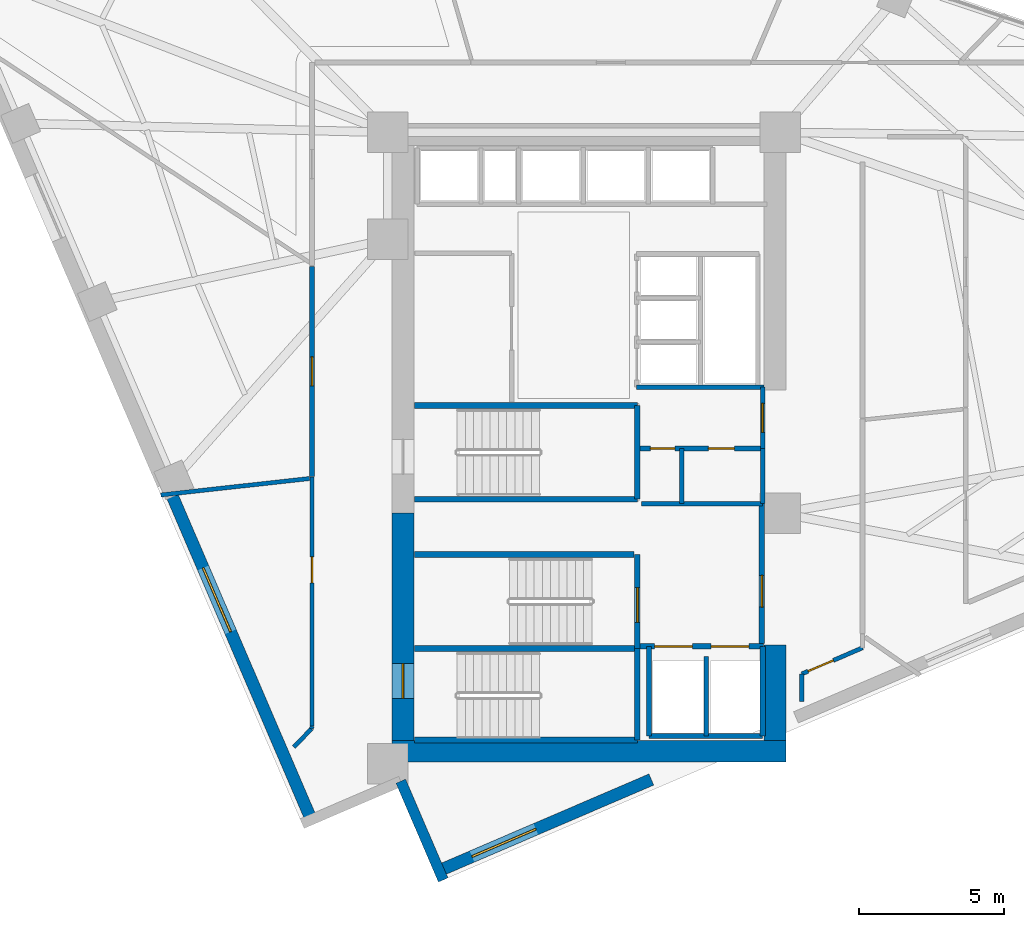
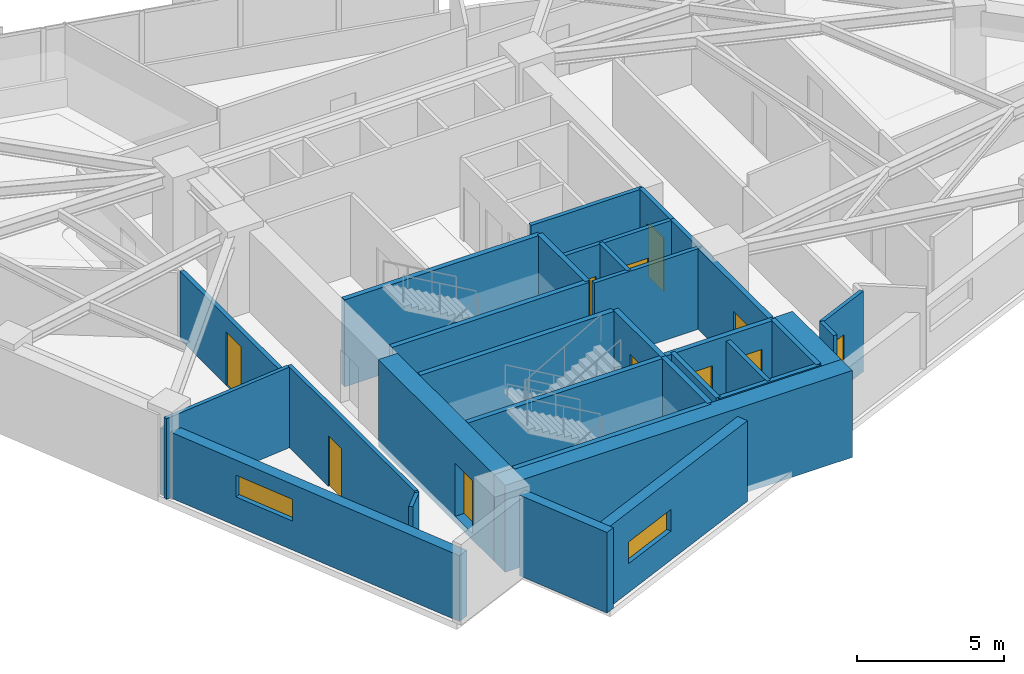
# One storey, part 9 of 13: 33 walls, 11 doors, 2 windows, 13 openings.
"""IFC4 building model written with IfcOpenShell, lengths in metres."""

from ifc_helpers import new_model, si_unit, direction, frame, frame_2d, origin, place, context, subcontext, project, spatial, rectangle, extrude, material, layer, layer_set, type_object, element, fill, save


model = new_model("IFC4")

# Units and contexts
model_context = context("Model", 3, precision=1e-05, world=origin(), true_north=direction((0.0, 1.0)))
body_context = subcontext(model_context, "Body", "Model", "MODEL_VIEW")
ifc_project = project(units=[si_unit("LENGTHUNIT", "METRE"), si_unit("AREAUNIT", "SQUARE_METRE"), si_unit("VOLUMEUNIT", "CUBIC_METRE"), si_unit("PLANEANGLEUNIT", "RADIAN"), si_unit("MASSUNIT", "GRAM", prefix="KILO")], contexts=[model_context])

# Site, building, storey
site_placement = place(None, origin())
site = spatial("IfcSite", under=ifc_project, at=site_placement, CompositionType="ELEMENT")
building_placement = place(site_placement, origin())
building = spatial("IfcBuilding", under=site, at=building_placement, Name="Narakoshi Arena Tower", CompositionType="ELEMENT")
storey_placement = place(building_placement, frame((0.0, 0.0, 171.89990234375)))
storey = spatial("IfcBuildingStorey", under=building, at=storey_placement, Name="L46", CompositionType="ELEMENT", Elevation=171.89990234375)

# Wall, opening, door
ifc_material_1 = material(Name="Concrete C50/60", Category="concrete")
ifc_layer_1 = layer(ifc_material_1, 0.75)
ifc_layer_set_1 = layer_set([ifc_layer_1], Name="Concrete C50/60")
wall_type_1 = type_object("IfcWallType", Name="WL-CORE-750", PredefinedType="SHEAR", material=ifc_layer_set_1)
wall_1_placement = place(storey_placement, frame((72.52490234375, 35.5, -0.260009765625), z_axis=(0.0, 0.0, 1.0), x_axis=(0.0, 1.0, 0.0)))
wall_1 = element("IfcWall", 1, at=wall_1_placement, inside=storey, type_object=wall_type_1, Name="L46 Central Core Shear Wall CW-APX-W", PredefinedType="SHEAR", context=body_context, shape_type="SweptSolid", body=[
    extrude(rectangle(XDim=7.85009765625, YDim=0.75, at=frame_2d((3.925048828125, 0.0))), origin(), (0.0, 0.0, 1.0), 3.60009765625),
])
opening_1_placement = place(wall_1_placement, frame((1.449951171875, 0.0, 0.260009765625)))
opening_1 = element("IfcOpeningElement", 2, at=opening_1_placement, cuts=wall_1, Name="Opening D-03", PredefinedType="OPENING", context=body_context, shape_type="SweptSolid", body=[
    extrude(rectangle(XDim=1.199951171875, YDim=2.199951171875, at=frame_2d((0.60009765625, 1.10009765625))), frame((0.0, 0.385009765625, 0.0), z_axis=(0.0, -1.0, 0.0), x_axis=(1.0, 0.0, 0.0)), (0.0, 0.0, 1.0), 0.77001953125),
])
ifc_material_2 = material(Name="Painted galvanized steel", Category="steel")
door_type_1 = type_object("IfcDoorType", Name="DR-STR-1200", OperationType="NOTDEFINED", PredefinedType="USERDEFINED", material=ifc_material_2)
door_1_placement = place(opening_1_placement, frame((1.199951171875, 0.0, 0.0), z_axis=(0.0, 0.0, 1.0), x_axis=(-1.0, 0.0, 0.0)))
door_1 = element("IfcDoor", 3, at=door_1_placement, inside=storey, type_object=door_type_1, Name="DR-L46-001", ObjectType="EXITDOOR", OperationType="SINGLE_SWING_LEFT", OverallHeight=2.199951171875, OverallWidth=1.199951171875, PredefinedType="USERDEFINED", context=body_context, shape_type="SweptSolid", body=[
    extrude(rectangle(XDim=1.199951171875, YDim=2.199951171875, at=frame_2d((0.60009765625, 1.10009765625))), frame((0.0, 0.02490234375, 0.0), z_axis=(0.0, -1.0, 0.0), x_axis=(1.0, 0.0, 0.0)), (0.0, 0.0, 1.0), 0.050048828125),
])
fill(opening_1, door_1)

# Walls
wall_2_placement = place(storey_placement, frame((72.14990234375, 35.125, -0.260009765625), z_axis=(0.0, 0.0, 1.0), x_axis=(1.0, 0.0, 0.0)))
element("IfcWall", 4, at=wall_2_placement, inside=storey, type_object=wall_type_1, Name="L46 Central Core Shear Wall CW-APX-S", PredefinedType="SHEAR", context=body_context, shape_type="SweptSolid", body=[
    extrude(rectangle(XDim=13.60009765625, YDim=0.75, at=frame_2d((6.800048828125, 0.0))), origin(), (0.0, 0.0, 1.0), 3.60009765625),
])
wall_3_placement = place(storey_placement, frame((85.375, 35.5, -0.260009765625), z_axis=(0.0, 0.0, 1.0), x_axis=(0.0, 1.0, 0.0)))
element("IfcWall", 5, at=wall_3_placement, inside=storey, type_object=wall_type_1, Name="L46 Central Core Shear Wall CW-APX-E", PredefinedType="SHEAR", context=body_context, shape_type="SweptSolid", body=[
    extrude(rectangle(XDim=3.300048828125, YDim=0.75, at=frame_2d((1.64990234375, 0.0))), origin(), (0.0, 0.0, 1.0), 3.60009765625),
])

# Wall, opening, door
ifc_material_3 = material(Name="Gypsum plasterboard fire-rated partition")
ifc_layer_2 = layer(ifc_material_3, 0.1650390625)
ifc_layer_set_2 = layer_set([ifc_layer_2], Name="Gypsum plasterboard fire-rated partition")
wall_type_2 = type_object("IfcWallType", Name="WL-CORR-165", PredefinedType="PARTITIONING", material=ifc_layer_set_2)
wall_4_placement = place(storey_placement, frame((84.949951171875, 45.580078125, 0.0), z_axis=(0.0, 0.0, 1.0), x_axis=(0.0, 1.0, 0.0)))
wall_4 = element("IfcWall", 6, at=wall_4_placement, inside=storey, type_object=wall_type_2, Name="L46 Core Wall CPAS-E", PredefinedType="PARTITIONING", context=body_context, shape_type="SweptSolid", body=[
    extrude(rectangle(XDim=2.119873046875, YDim=0.1650390625, at=frame_2d((1.06005859375, 0.0))), origin(), (0.0, 0.0, 1.0), 3.340087890625),
])
opening_2_placement = place(wall_4_placement, frame((0.56005859375, 0.0, 0.0)))
opening_2 = element("IfcOpeningElement", 7, at=opening_2_placement, cuts=wall_4, Name="Opening D-06", PredefinedType="OPENING", context=body_context, shape_type="SweptSolid", body=[
    extrude(rectangle(XDim=1.0, YDim=2.199951171875, at=frame_2d((0.5, 1.10009765625))), frame((0.0, 0.092529296875, 0.0), z_axis=(0.0, -1.0, 0.0), x_axis=(1.0, 0.0, 0.0)), (0.0, 0.0, 1.0), 0.18505859375),
])
ifc_material_4 = material(Name="Stained oak solid-core timber", Category="wood")
door_type_2 = type_object("IfcDoorType", Name="DR-OFF-1000", OperationType="NOTDEFINED", PredefinedType="DOOR", material=ifc_material_4)
door_2_placement = place(opening_2_placement, frame((1.0, 0.0, 0.0), z_axis=(0.0, 0.0, 1.0), x_axis=(-1.0, 0.0, 0.0)))
door_2 = element("IfcDoor", 8, at=door_2_placement, inside=storey, type_object=door_type_2, Name="DR-L46-007", OperationType="SINGLE_SWING_LEFT", OverallHeight=2.199951171875, OverallWidth=1.0, PredefinedType="DOOR", context=body_context, shape_type="SweptSolid", body=[
    extrude(rectangle(XDim=1.0, YDim=2.199951171875, at=frame_2d((0.5, 1.10009765625))), frame((0.0, 0.02490234375, 0.0), z_axis=(0.0, -1.0, 0.0), x_axis=(1.0, 0.0, 0.0)), (0.0, 0.0, 1.0), 0.050048828125),
])
fill(opening_2, door_2)

wall_5_placement = place(storey_placement, frame((69.388916015625, 51.8740234375, 0.0), z_axis=(0.0, 0.0, 1.0), x_axis=(0.0, -1.0, 0.0)))
wall_5 = element("IfcWall", 9, at=wall_5_placement, inside=storey, type_object=wall_type_2, Name="L46 Corridor Partition 09-1", PredefinedType="PARTITIONING", context=body_context, shape_type="SweptSolid", body=[
    extrude(rectangle(XDim=7.259521484375, YDim=0.1650390625, at=frame_2d((3.6298828125, 0.0))), origin(), (0.0, 0.0, 1.0), 2.8251953125),
])
opening_3_placement = place(wall_5_placement, frame((3.129638671875, 0.0, 0.0)))
opening_3 = element("IfcOpeningElement", 10, at=opening_3_placement, cuts=wall_5, Name="Opening D-06", PredefinedType="OPENING", context=body_context, shape_type="SweptSolid", body=[
    extrude(rectangle(XDim=1.0, YDim=2.199951171875, at=frame_2d((0.5, 1.10009765625))), frame((0.0, 0.092529296875, 0.0), z_axis=(0.0, -1.0, 0.0), x_axis=(1.0, 0.0, 0.0)), (0.0, 0.0, 1.0), 0.18505859375),
])
door_3_placement = place(opening_3_placement, frame((1.0, 0.0, 0.0), z_axis=(0.0, 0.0, 1.0), x_axis=(-1.0, 0.0, 0.0)))
door_3 = element("IfcDoor", 11, at=door_3_placement, inside=storey, type_object=door_type_2, Name="DR-L46-022", OperationType="SINGLE_SWING_RIGHT", OverallHeight=2.199951171875, OverallWidth=1.0, PredefinedType="DOOR", context=body_context, shape_type="SweptSolid", body=[
    extrude(rectangle(XDim=1.0, YDim=2.199951171875, at=frame_2d((0.5, 1.10009765625))), frame((0.0, 0.02490234375, 0.0), z_axis=(0.0, -1.0, 0.0), x_axis=(1.0, 0.0, 0.0)), (0.0, 0.0, 1.0), 0.050048828125),
])
fill(opening_3, door_3)

# Wall, opening, window
ifc_material_5 = material(Name="Precast concrete C45/55", Category="concrete")
ifc_layer_3 = layer(ifc_material_5, 0.419921875)
ifc_layer_set_3 = layer_set([ifc_layer_3], Name="Precast concrete C45/55")
wall_type_3 = type_object("IfcWallType", Name="WL-POD-420", PredefinedType="SOLIDWALL", material=ifc_layer_set_3)
wall_6_placement = place(storey_placement, frame((73.77880859375, 31.002685546875, 0.0), z_axis=(0.0, 0.0, 1.0), x_axis=(0.918797817688, 0.394728476565, 0.0)))
wall_6 = element("IfcWall", 12, at=wall_6_placement, inside=storey, type_object=wall_type_3, Name="L46 Architectural Concrete Facade Wall LEGA-1", PredefinedType="SOLIDWALL", context=body_context, shape_type="SweptSolid", body=[
    extrude(rectangle(XDim=7.97314453125, YDim=0.419921875, at=frame_2d((3.986572265625, 0.0))), origin(), (0.0, 0.0, 1.0), 3.340087890625),
])
opening_4_placement = place(wall_6_placement, frame((1.234130859375, 0.0, 1.199951171875)))
opening_4 = element("IfcOpeningElement", 13, at=opening_4_placement, cuts=wall_6, Name="Opening WN-01", PredefinedType="OPENING", context=body_context, shape_type="SweptSolid", body=[
    extrude(rectangle(XDim=2.39990234375, YDim=0.89990234375, at=frame_2d((1.199951171875, 0.449951171875))), frame((0.0, 0.219970703125, 0.0), z_axis=(0.0, -1.0, 0.0), x_axis=(1.0, 0.0, 0.0)), (0.0, 0.0, 1.0), 0.43994140625),
])
ifc_material_6 = material(Name="Bronze-tinted low-E laminated glass", Category="glass")
window_type = type_object("IfcWindowType", Name="WIN-SLT-24x09", PartitioningType="SINGLE_PANEL", PredefinedType="WINDOW", material=ifc_material_6)
window_1_placement = place(opening_4_placement, origin())
window_1 = element("IfcWindow", 14, at=window_1_placement, inside=storey, type_object=window_type, Name="L46 LEGA1 Horizontal Slot Window 1", OverallHeight=0.89990234375, OverallWidth=2.39990234375, PartitioningType="SINGLE_PANEL", PredefinedType="WINDOW", context=body_context, shape_type="SweptSolid", body=[
    extrude(rectangle(XDim=2.39990234375, YDim=0.89990234375, at=frame_2d((1.199951171875, 0.449951171875))), frame((0.0, 0.030029296875, 0.0), z_axis=(0.0, -1.0, 0.0), x_axis=(1.0, 0.0, 0.0)), (0.0, 0.0, 1.0), 0.06005859375),
])
fill(opening_4, window_1)

wall_7_placement = place(storey_placement, frame((64.36669921875, 44.390869140625, 0.0), z_axis=(0.0, 0.0, 1.0), x_axis=(0.394757430431, -0.918785378159, 0.0)))
wall_7 = element("IfcWall", 15, at=wall_7_placement, inside=storey, type_object=wall_type_3, Name="L46 Architectural Concrete Facade Wall LEGB-3", PredefinedType="SOLIDWALL", context=body_context, shape_type="SweptSolid", body=[
    extrude(rectangle(XDim=12.653564453125, YDim=0.419921875, at=frame_2d((6.32666015625, 0.0))), origin(), (0.0, 0.0, 1.0), 2.72509765625),
])
opening_5_placement = place(wall_7_placement, frame((3.193115234375, 0.0, 1.199951171875)))
opening_5 = element("IfcOpeningElement", 16, at=opening_5_placement, cuts=wall_7, Name="Opening WN-01", PredefinedType="OPENING", context=body_context, shape_type="SweptSolid", body=[
    extrude(rectangle(XDim=2.39990234375, YDim=0.89990234375, at=frame_2d((1.199951171875, 0.449951171875))), frame((0.0, 0.219970703125, 0.0), z_axis=(0.0, -1.0, 0.0), x_axis=(1.0, 0.0, 0.0)), (0.0, 0.0, 1.0), 0.43994140625),
])
window_2_placement = place(opening_5_placement, origin())
window_2 = element("IfcWindow", 17, at=window_2_placement, inside=storey, type_object=window_type, Name="L46 LEGB3 Horizontal Slot Window 1", OverallHeight=0.89990234375, OverallWidth=2.39990234375, PartitioningType="SINGLE_PANEL", PredefinedType="WINDOW", context=body_context, shape_type="SweptSolid", body=[
    extrude(rectangle(XDim=2.39990234375, YDim=0.89990234375, at=frame_2d((1.199951171875, 0.449951171875))), frame((0.0, 0.030029296875, 0.0), z_axis=(0.0, -1.0, 0.0), x_axis=(1.0, 0.0, 0.0)), (0.0, 0.0, 1.0), 0.06005859375),
])
fill(opening_5, window_2)

# Walls
wall_8_placement = place(storey_placement, frame((72.451416015625, 34.09228515625, 0.0), z_axis=(0.0, 0.0, 1.0), x_axis=(0.394752464447, -0.918787511786, 0.0)))
element("IfcWall", 18, at=wall_8_placement, inside=storey, type_object=wall_type_3, Name="L46 Re-Entrant Corner Notch Wall NTA-2", PredefinedType="SOLIDWALL", context=body_context, shape_type="SweptSolid", body=[
    extrude(rectangle(XDim=3.712646484375, YDim=0.360107421875, at=frame_2d((1.8564453125, 0.0))), origin(), (0.0, 0.0, 1.0), 3.340087890625),
])
ifc_material_7 = material(Name="Concrete C40/50", Category="concrete")
ifc_layer_4 = layer(ifc_material_7, 0.280029296875)
ifc_layer_set_4 = layer_set([ifc_layer_4], Name="Concrete C40/50")
wall_type_4 = type_object("IfcWallType", Name="WL-RISER-280", PredefinedType="PLUMBINGWALL", material=ifc_layer_set_4)
wall_9_placement = place(storey_placement, frame((83.0, 35.64990234375, 0.0), z_axis=(0.0, 0.0, 1.0), x_axis=(0.0, 1.0, 0.0)))
element("IfcWall", 19, at=wall_9_placement, inside=storey, type_object=wall_type_4, Name="L46 Core Wall FF-DIV", PredefinedType="PLUMBINGWALL", context=body_context, shape_type="SweptSolid", body=[
    extrude(rectangle(XDim=2.75, YDim=0.159912109375, at=frame_2d((1.375, 0.0))), origin(), (0.0, 0.0, 1.0), 3.340087890625),
])
wall_10_placement = place(storey_placement, frame((84.949951171875, 43.679931640625, 0.0), z_axis=(0.0, 0.0, 1.0), x_axis=(0.0, 1.0, 0.0)))
element("IfcWall", 20, at=wall_10_placement, inside=storey, type_object=wall_type_4, Name="L46 Core Wall RSR-E", PredefinedType="PLUMBINGWALL", context=body_context, shape_type="SweptSolid", body=[
    extrude(rectangle(XDim=1.900146484375, YDim=0.1650390625, at=frame_2d((0.9501953125, 0.0))), origin(), (0.0, 0.0, 1.0), 3.340087890625),
])

# Wall, openings, doors
wall_11_placement = place(storey_placement, frame((80.719970703125, 45.580078125, 0.0), z_axis=(0.0, 0.0, 1.0), x_axis=(1.0, 0.0, 0.0)))
wall_11 = element("IfcWall", 21, at=wall_11_placement, inside=storey, type_object=wall_type_4, Name="L46 Core Wall RSR-N", PredefinedType="PLUMBINGWALL", context=body_context, shape_type="SweptSolid", body=[
    extrude(rectangle(XDim=4.22998046875, YDim=0.159912109375, at=frame_2d((2.114990234375, 0.0))), origin(), (0.0, 0.0, 1.0), 3.340087890625),
])
opening_6_placement = place(wall_11_placement, frame((0.35009765625, 0.0, 0.0)))
opening_6 = element("IfcOpeningElement", 22, at=opening_6_placement, cuts=wall_11, Name="Opening D-10", PredefinedType="OPENING", context=body_context, shape_type="SweptSolid", body=[
    extrude(rectangle(XDim=0.85009765625, YDim=2.050048828125, at=frame_2d((0.425048828125, 1.02490234375))), frame((0.0, 0.08984375, 0.0), z_axis=(0.0, -1.0, 0.0), x_axis=(1.0, 0.0, 0.0)), (0.0, 0.0, 1.0), 0.179931640625),
])
opening_7_placement = place(wall_11_placement, frame((2.35009765625, 0.0, 0.0)))
opening_7 = element("IfcOpeningElement", 23, at=opening_7_placement, cuts=wall_11, Name="Opening D-08", PredefinedType="OPENING", context=body_context, shape_type="SweptSolid", body=[
    extrude(rectangle(XDim=0.89990234375, YDim=2.10009765625, at=frame_2d((0.449951171875, 1.050048828125))), frame((0.0, 0.08984375, 0.0), z_axis=(0.0, -1.0, 0.0), x_axis=(1.0, 0.0, 0.0)), (0.0, 0.0, 1.0), 0.179931640625),
])
door_type_3 = type_object("IfcDoorType", Name="DR-RSR-850", OperationType="NOTDEFINED", PredefinedType="DOOR", material=ifc_material_2)
door_4_placement = place(opening_6_placement, frame((0.85009765625, 0.0, 0.0), z_axis=(0.0, 0.0, 1.0), x_axis=(-1.0, 0.0, 0.0)))
door_4 = element("IfcDoor", 24, at=door_4_placement, inside=storey, type_object=door_type_3, Name="DR-L46-008", OperationType="SINGLE_SWING_LEFT", OverallHeight=2.050048828125, OverallWidth=0.85009765625, PredefinedType="DOOR", context=body_context, shape_type="SweptSolid", body=[
    extrude(rectangle(XDim=0.85009765625, YDim=2.050048828125, at=frame_2d((0.425048828125, 1.02490234375))), frame((0.0, 0.02490234375, 0.0), z_axis=(0.0, -1.0, 0.0), x_axis=(1.0, 0.0, 0.0)), (0.0, 0.0, 1.0), 0.050048828125),
])
fill(opening_6, door_4)
ifc_material_8 = material(Name="Moisture-resistant laminate timber", Category="wood")
door_type_4 = type_object("IfcDoorType", Name="DR-WC-900", OperationType="NOTDEFINED", PredefinedType="DOOR", material=ifc_material_8)
door_5_placement = place(opening_7_placement, frame((0.89990234375, 0.0, 0.0), z_axis=(0.0, 0.0, 1.0), x_axis=(-1.0, 0.0, 0.0)))
door_5 = element("IfcDoor", 25, at=door_5_placement, inside=storey, type_object=door_type_4, Name="DR-L46-009", OperationType="SINGLE_SWING_RIGHT", OverallHeight=2.10009765625, OverallWidth=0.89990234375, PredefinedType="DOOR", context=body_context, shape_type="SweptSolid", body=[
    extrude(rectangle(XDim=0.89990234375, YDim=2.10009765625, at=frame_2d((0.449951171875, 1.050048828125))), frame((0.0, 0.02490234375, 0.0), z_axis=(0.0, -1.0, 0.0), x_axis=(1.0, 0.0, 0.0)), (0.0, 0.0, 1.0), 0.050048828125),
])
fill(opening_7, door_5)

# Walls
wall_12_placement = place(storey_placement, frame((80.760009765625, 43.679931640625, 0.0), z_axis=(0.0, 0.0, 1.0), x_axis=(1.0, 0.0, 0.0)))
element("IfcWall", 26, at=wall_12_placement, inside=storey, type_object=wall_type_4, Name="L46 Core Wall RSR-S", PredefinedType="PLUMBINGWALL", context=body_context, shape_type="SweptSolid", body=[
    extrude(rectangle(XDim=4.18994140625, YDim=0.159912109375, at=frame_2d((2.094970703125, 0.0))), origin(), (0.0, 0.0, 1.0), 3.340087890625),
])
wall_13_placement = place(storey_placement, frame((82.14990234375, 43.679931640625, 0.0), z_axis=(0.0, 0.0, 1.0), x_axis=(0.0, 1.0, 0.0)))
element("IfcWall", 27, at=wall_13_placement, inside=storey, type_object=wall_type_4, Name="L46 Core Wall RSR-M", PredefinedType="PLUMBINGWALL", context=body_context, shape_type="SweptSolid", body=[
    extrude(rectangle(XDim=1.900146484375, YDim=0.159912109375, at=frame_2d((0.9501953125, 0.0))), origin(), (0.0, 0.0, 1.0), 3.340087890625),
])
ifc_layer_5 = layer(ifc_material_1, 0.35009765625)
ifc_layer_set_5 = layer_set([ifc_layer_5], Name="Concrete C50/60")
wall_type_5 = type_object("IfcWallType", Name="WL-SHAFT-350", PredefinedType="SOLIDWALL", material=ifc_layer_set_5)
for number, where, z_axis, x_axis, name in (
    (28, (72.919921875, 35.52001953125, -0.260009765625), (0.0, 0.0, 1.0), (1.0, 0.0, 0.0), "L46 Core Wall ST1-S"),
    (29, (72.919921875, 38.675048828125, -0.260009765625), (0.0, 0.0, 1.0), (1.0, 0.0, 0.0), "L46 Core Wall ST12-DIV"),
):
    element("IfcWall", number, at=place(storey_placement, frame(where, z_axis=z_axis, x_axis=x_axis)), inside=storey, type_object=wall_type_5, Name=name, PredefinedType="SOLIDWALL", context=body_context, shape_type="SweptSolid", body=[
        extrude(rectangle(XDim=7.7001953125, YDim=0.199951171875, at=frame_2d((3.85009765625, 0.0))), origin(), (0.0, 0.0, 1.0), 3.60009765625),
    ])
wall_14_placement = place(storey_placement, frame((80.6201171875, 35.52001953125, -0.260009765625), z_axis=(0.0, 0.0, 1.0), x_axis=(0.0, 1.0, 0.0)))
element("IfcWall", 30, at=wall_14_placement, inside=storey, type_object=wall_type_5, Name="L46 Core Wall ST1-E", PredefinedType="SOLIDWALL", context=body_context, shape_type="SweptSolid", body=[
    extrude(rectangle(XDim=3.155029296875, YDim=0.199951171875, at=frame_2d((1.57763671875, 0.0))), origin(), (0.0, 0.0, 1.0), 3.60009765625),
])

# Wall, opening, door
wall_15_placement = place(storey_placement, frame((80.6201171875, 38.675048828125, -0.260009765625), z_axis=(0.0, 0.0, 1.0), x_axis=(0.0, 1.0, 0.0)))
wall_15 = element("IfcWall", 31, at=wall_15_placement, inside=storey, type_object=wall_type_5, Name="L46 Core Wall ST2-E", PredefinedType="SOLIDWALL", context=body_context, shape_type="SweptSolid", body=[
    extrude(rectangle(XDim=3.244873046875, YDim=0.199951171875, at=frame_2d((1.62255859375, 0.0))), origin(), (0.0, 0.0, 1.0), 3.60009765625),
])
opening_8_placement = place(wall_15_placement, frame((0.89990234375, 0.0, 0.260009765625)))
opening_8 = element("IfcOpeningElement", 32, at=opening_8_placement, cuts=wall_15, Name="Opening D-03", PredefinedType="OPENING", context=body_context, shape_type="SweptSolid", body=[
    extrude(rectangle(XDim=1.199951171875, YDim=2.199951171875, at=frame_2d((0.60009765625, 1.10009765625))), frame((0.0, 0.10986328125, 0.0), z_axis=(0.0, -1.0, 0.0), x_axis=(1.0, 0.0, 0.0)), (0.0, 0.0, 1.0), 0.219970703125),
])
door_6_placement = place(opening_8_placement, origin())
door_6 = element("IfcDoor", 33, at=door_6_placement, inside=storey, type_object=door_type_1, Name="DR-L46-002", ObjectType="EXITDOOR", OperationType="SINGLE_SWING_RIGHT", OverallHeight=2.199951171875, OverallWidth=1.199951171875, PredefinedType="USERDEFINED", context=body_context, shape_type="SweptSolid", body=[
    extrude(rectangle(XDim=1.199951171875, YDim=2.199951171875, at=frame_2d((0.60009765625, 1.10009765625))), frame((0.0, 0.02490234375, 0.0), z_axis=(0.0, -1.0, 0.0), x_axis=(1.0, 0.0, 0.0)), (0.0, 0.0, 1.0), 0.050048828125),
])
fill(opening_8, door_6)

# Wall, openings, doors
wall_16_placement = place(storey_placement, frame((80.719970703125, 38.75, 0.0), z_axis=(0.0, 0.0, 1.0), x_axis=(1.0, 0.0, 0.0)))
wall_16 = element("IfcWall", 34, at=wall_16_placement, inside=storey, type_object=wall_type_5, Name="L46 Core Wall FF-N", PredefinedType="SOLIDWALL", context=body_context, shape_type="SweptSolid", body=[
    extrude(rectangle(XDim=4.260009765625, YDim=0.199951171875, at=frame_2d((2.1298828125, 0.0))), origin(), (0.0, 0.0, 1.0), 3.340087890625),
])
opening_9_placement = place(wall_16_placement, frame((0.5, 0.0, 0.0)))
opening_9 = element("IfcOpeningElement", 35, at=opening_9_placement, cuts=wall_16, Name="Opening LD-02", PredefinedType="OPENING", context=body_context, shape_type="SweptSolid", body=[
    extrude(rectangle(XDim=1.300048828125, YDim=2.300048828125, at=frame_2d((0.64990234375, 1.14990234375))), frame((0.0, 0.10986328125, 0.0), z_axis=(0.0, -1.0, 0.0), x_axis=(1.0, 0.0, 0.0)), (0.0, 0.0, 1.0), 0.219970703125),
])
opening_10_placement = place(wall_16_placement, frame((2.449951171875, 0.0, 0.0)))
opening_10 = element("IfcOpeningElement", 36, at=opening_10_placement, cuts=wall_16, Name="Opening LD-02", PredefinedType="OPENING", context=body_context, shape_type="SweptSolid", body=[
    extrude(rectangle(XDim=1.300048828125, YDim=2.300048828125, at=frame_2d((0.64990234375, 1.14990234375))), frame((0.0, 0.10986328125, 0.0), z_axis=(0.0, -1.0, 0.0), x_axis=(1.0, 0.0, 0.0)), (0.0, 0.0, 1.0), 0.219970703125),
])
ifc_material_9 = material(Name="Brushed bronze stainless steel", Category="steel")
door_type_5 = type_object("IfcDoorType", Name="DR-LFT-1300", OperationType="DOUBLE_DOOR_SLIDING", PredefinedType="DOOR", material=ifc_material_9)
door_7_placement = place(opening_9_placement, origin())
door_7 = element("IfcDoor", 37, at=door_7_placement, inside=storey, type_object=door_type_5, Name="DR-L46-003", OperationType="DOUBLE_DOOR_SLIDING", OverallHeight=2.300048828125, OverallWidth=1.300048828125, PredefinedType="DOOR", context=body_context, shape_type="SweptSolid", body=[
    extrude(rectangle(XDim=1.300048828125, YDim=2.300048828125, at=frame_2d((0.64990234375, 1.14990234375))), frame((0.0, 0.02490234375, 0.0), z_axis=(0.0, -1.0, 0.0), x_axis=(1.0, 0.0, 0.0)), (0.0, 0.0, 1.0), 0.050048828125),
])
fill(opening_9, door_7)
door_8_placement = place(opening_10_placement, origin())
door_8 = element("IfcDoor", 38, at=door_8_placement, inside=storey, type_object=door_type_5, Name="DR-L46-004", OperationType="DOUBLE_DOOR_SLIDING", OverallHeight=2.300048828125, OverallWidth=1.300048828125, PredefinedType="DOOR", context=body_context, shape_type="SweptSolid", body=[
    extrude(rectangle(XDim=1.300048828125, YDim=2.300048828125, at=frame_2d((0.64990234375, 1.14990234375))), frame((0.0, 0.02490234375, 0.0), z_axis=(0.0, -1.0, 0.0), x_axis=(1.0, 0.0, 0.0)), (0.0, 0.0, 1.0), 0.050048828125),
])
fill(opening_10, door_8)

# Walls
for number, where, z_axis, x_axis, name in (
    (39, (84.949951171875, 35.64990234375, 0.0), (0.0, 0.0, 1.0), (0.0, 1.0, 0.0), "L46 Core Wall FF-E"),
    (40, (81.02001953125, 35.64990234375, 0.0), (0.0, 0.0, 1.0), (0.0, 1.0, 0.0), "L46 Core Wall FF-W"),
):
    element("IfcWall", number, at=place(storey_placement, frame(where, z_axis=z_axis, x_axis=x_axis)), inside=storey, type_object=wall_type_5, Name=name, PredefinedType="SOLIDWALL", context=body_context, shape_type="SweptSolid", body=[
        extrude(rectangle(XDim=3.10009765625, YDim=0.179931640625, at=frame_2d((1.550048828125, 0.0))), origin(), (0.0, 0.0, 1.0), 3.340087890625),
    ])
wall_17_placement = place(storey_placement, frame((81.02001953125, 35.64990234375, 0.0), z_axis=(0.0, 0.0, 1.0), x_axis=(1.0, 0.0, 0.0)))
element("IfcWall", 41, at=wall_17_placement, inside=storey, type_object=wall_type_5, Name="L46 Core Wall FF-S", PredefinedType="SOLIDWALL", context=body_context, shape_type="SweptSolid", body=[
    extrude(rectangle(XDim=3.929931640625, YDim=0.179931640625, at=frame_2d((1.96484375, 0.0))), origin(), (0.0, 0.0, 1.0), 3.340087890625),
])

# Wall, opening, door
wall_18_placement = place(storey_placement, frame((84.919921875, 38.85009765625, 0.0), z_axis=(0.0, 0.0, 1.0), x_axis=(0.0, 1.0, 0.0)))
wall_18 = element("IfcWall", 42, at=wall_18_placement, inside=storey, type_object=wall_type_5, Name="L46 Core Wall FFLOB-E", PredefinedType="SOLIDWALL", context=body_context, shape_type="SweptSolid", body=[
    extrude(rectangle(XDim=4.829833984375, YDim=0.199951171875, at=frame_2d((2.4150390625, 0.0))), origin(), (0.0, 0.0, 1.0), 3.340087890625),
])
opening_11_placement = place(wall_18_placement, frame((1.25, 0.0, 0.0)))
opening_11 = element("IfcOpeningElement", 43, at=opening_11_placement, cuts=wall_18, Name="Opening D-04", PredefinedType="OPENING", context=body_context, shape_type="SweptSolid", body=[
    extrude(rectangle(XDim=1.10009765625, YDim=2.199951171875, at=frame_2d((0.550048828125, 1.10009765625))), frame((0.0, 0.10986328125, 0.0), z_axis=(0.0, -1.0, 0.0), x_axis=(1.0, 0.0, 0.0)), (0.0, 0.0, 1.0), 0.219970703125),
])
door_type_6 = type_object("IfcDoorType", Name="DR-FFL-1100", OperationType="NOTDEFINED", PredefinedType="DOOR", material=ifc_material_2)
door_9_placement = place(opening_11_placement, frame((1.10009765625, 0.0, 0.0), z_axis=(0.0, 0.0, 1.0), x_axis=(-1.0, 0.0, 0.0)))
door_9 = element("IfcDoor", 44, at=door_9_placement, inside=storey, type_object=door_type_6, Name="DR-L46-005", OperationType="SINGLE_SWING_RIGHT", OverallHeight=2.199951171875, OverallWidth=1.10009765625, PredefinedType="DOOR", context=body_context, shape_type="SweptSolid", body=[
    extrude(rectangle(XDim=1.10009765625, YDim=2.199951171875, at=frame_2d((0.550048828125, 1.10009765625))), frame((0.0, 0.02490234375, 0.0), z_axis=(0.0, -1.0, 0.0), x_axis=(1.0, 0.0, 0.0)), (0.0, 0.0, 1.0), 0.050048828125),
])
fill(opening_11, door_9)

# Walls
wall_19_placement = place(storey_placement, frame((72.919921875, 41.919921875, -0.260009765625), z_axis=(0.0, 0.0, 1.0), x_axis=(1.0, 0.0, 0.0)))
element("IfcWall", 45, at=wall_19_placement, inside=storey, type_object=wall_type_5, Name="L46 Core Wall ST2-N", PredefinedType="SOLIDWALL", context=body_context, shape_type="SweptSolid", body=[
    extrude(rectangle(XDim=7.580078125, YDim=0.199951171875, at=frame_2d((3.7900390625, 0.0))), origin(), (0.0, 0.0, 1.0), 3.60009765625),
])
for number, where, z_axis, x_axis, name in (
    (46, (72.919921875, 43.830078125, -0.260009765625), (0.0, 0.0, 1.0), (1.0, 0.0, 0.0), "L46 Core Wall ST3-S"),
    (47, (72.919921875, 47.070068359375, -0.260009765625), (0.0, 0.0, 1.0), (1.0, 0.0, 0.0), "L46 Core Wall ST3-N"),
):
    element("IfcWall", number, at=place(storey_placement, frame(where, z_axis=z_axis, x_axis=x_axis)), inside=storey, type_object=wall_type_5, Name=name, PredefinedType="SOLIDWALL", context=body_context, shape_type="SweptSolid", body=[
        extrude(rectangle(XDim=7.7001953125, YDim=0.199951171875, at=frame_2d((3.85009765625, 0.0))), origin(), (0.0, 0.0, 1.0), 3.60009765625),
    ])
wall_20_placement = place(storey_placement, frame((80.6201171875, 43.830078125, -0.260009765625), z_axis=(0.0, 0.0, 1.0), x_axis=(0.0, 1.0, 0.0)))
element("IfcWall", 48, at=wall_20_placement, inside=storey, type_object=wall_type_5, Name="L46 Core Wall ST3-E", PredefinedType="SOLIDWALL", context=body_context, shape_type="SweptSolid", body=[
    extrude(rectangle(XDim=3.239990234375, YDim=0.199951171875, at=frame_2d((1.6201171875, 0.0))), origin(), (0.0, 0.0, 1.0), 3.60009765625),
])
wall_21_placement = place(storey_placement, frame((80.60009765625, 47.699951171875, 0.0), z_axis=(0.0, 0.0, 1.0), x_axis=(1.0, 0.0, 0.0)))
element("IfcWall", 49, at=wall_21_placement, inside=storey, type_object=wall_type_5, Name="L46 Core Wall MR-S", PredefinedType="SOLIDWALL", context=body_context, shape_type="SweptSolid", body=[
    extrude(rectangle(XDim=4.39990234375, YDim=0.159912109375, at=frame_2d((2.199951171875, 0.0))), origin(), (0.0, 0.0, 1.0), 3.340087890625),
])

# Wall, opening, door
ifc_material_10 = material(Name="Moisture-resistant cement-board partition")
ifc_layer_6 = layer(ifc_material_10, 0.14501953125)
ifc_layer_set_6 = layer_set([ifc_layer_6], Name="Moisture-resistant cement-board partition")
wall_type_6 = type_object("IfcWallType", Name="WL-WET-145", PredefinedType="PARTITIONING", material=ifc_layer_set_6)
wall_22_placement = place(storey_placement, frame((69.388916015625, 44.590576171875, 0.0), z_axis=(0.0, 0.0, 1.0), x_axis=(0.0, -1.0, 0.0)))
wall_22 = element("IfcWall", 50, at=wall_22_placement, inside=storey, type_object=wall_type_6, Name="L46 Corridor Partition 01-1", PredefinedType="PARTITIONING", context=body_context, shape_type="SweptSolid", body=[
    extrude(rectangle(XDim=8.595458984375, YDim=0.14501953125, at=frame_2d((4.2978515625, 0.0))), origin(), (0.0, 0.0, 1.0), 3.340087890625),
])
opening_12_placement = place(wall_22_placement, frame((2.75341796875, 0.0, 0.0)))
opening_12 = element("IfcOpeningElement", 51, at=opening_12_placement, cuts=wall_22, Name="Opening D-08", PredefinedType="OPENING", context=body_context, shape_type="SweptSolid", body=[
    extrude(rectangle(XDim=0.89990234375, YDim=2.10009765625, at=frame_2d((0.449951171875, 1.050048828125))), frame((0.0, 0.08251953125, 0.0), z_axis=(0.0, -1.0, 0.0), x_axis=(1.0, 0.0, 0.0)), (0.0, 0.0, 1.0), 0.1650390625),
])
door_10_placement = place(opening_12_placement, frame((0.89990234375, 0.0, 0.0), z_axis=(0.0, 0.0, 1.0), x_axis=(-1.0, 0.0, 0.0)))
door_10 = element("IfcDoor", 52, at=door_10_placement, inside=storey, type_object=door_type_4, Name="DR-L46-014", OperationType="SINGLE_SWING_RIGHT", OverallHeight=2.10009765625, OverallWidth=0.89990234375, PredefinedType="DOOR", context=body_context, shape_type="SweptSolid", body=[
    extrude(rectangle(XDim=0.89990234375, YDim=2.10009765625, at=frame_2d((0.449951171875, 1.050048828125))), frame((0.0, 0.02490234375, 0.0), z_axis=(0.0, -1.0, 0.0), x_axis=(1.0, 0.0, 0.0)), (0.0, 0.0, 1.0), 0.050048828125),
])
fill(opening_12, door_10)

# Walls
wall_23_placement = place(storey_placement, frame((69.388916015625, 35.9951171875, 0.0), z_axis=(0.0, 0.0, 1.0), x_axis=(-0.239657517494, -0.970857494336, 0.0)))
element("IfcWall", 53, at=wall_23_placement, inside=storey, type_object=wall_type_6, Name="L46 Corridor Partition 01-2", PredefinedType="PARTITIONING", context=body_context, shape_type="SweptSolid", body=[
    extrude(rectangle(XDim=0.099853515625, YDim=0.14501953125, at=frame_2d((0.0498046875, 0.0))), origin(), (0.0, 0.0, 1.0), 3.340087890625),
])
wall_24_placement = place(storey_placement, frame((64.163818359375, 43.976806640625, 0.0), z_axis=(0.0, 0.0, 1.0), x_axis=(0.993948043417, 0.109851203849, 0.0)))
element("IfcWall", 54, at=wall_24_placement, inside=storey, type_object=wall_type_6, Name="L46 Inter-Room Partition 01-09", PredefinedType="PARTITIONING", context=body_context, shape_type="SweptSolid", body=[
    extrude(rectangle(XDim=5.171630859375, YDim=0.14501953125, at=frame_2d((2.5859375, 0.0))), origin(), (0.0, 0.0, 1.0), 3.340087890625),
])

# Wall, opening, door
wall_25_placement = place(storey_placement, frame((86.300048828125, 37.797119140625, 0.0), z_axis=(0.0, 0.0, 1.0), x_axis=(0.918802105609, 0.39471849555, 0.0)))
wall_25 = element("IfcWall", 55, at=wall_25_placement, inside=storey, type_object=wall_type_6, Name="L46 Corridor Partition 02-1", PredefinedType="PARTITIONING", context=body_context, shape_type="SweptSolid", body=[
    extrude(rectangle(XDim=2.285400390625, YDim=0.14501953125, at=frame_2d((1.142578125, 0.0))), origin(), (0.0, 0.0, 1.0), 3.340087890625),
])
opening_13_placement = place(wall_25_placement, frame((0.2373046875, 0.0, 0.0)))
opening_13 = element("IfcOpeningElement", 56, at=opening_13_placement, cuts=wall_25, Name="Opening D-07", PredefinedType="OPENING", context=body_context, shape_type="SweptSolid", body=[
    extrude(rectangle(XDim=0.949951171875, YDim=2.14990234375, at=frame_2d((0.47509765625, 1.074951171875))), frame((0.0, 0.08251953125, 0.0), z_axis=(0.0, -1.0, 0.0), x_axis=(1.0, 0.0, 0.0)), (0.0, 0.0, 1.0), 0.1650390625),
])
door_type_7 = type_object("IfcDoorType", Name="DR-ACC-950", OperationType="NOTDEFINED", PredefinedType="DOOR", material=ifc_material_4)
door_11_placement = place(opening_13_placement, frame((0.949951171875, 0.0, 0.0), z_axis=(0.0, 0.0, 1.0), x_axis=(-1.0, 0.0, 0.0)))
door_11 = element("IfcDoor", 57, at=door_11_placement, inside=storey, type_object=door_type_7, Name="DR-L46-015", OperationType="SINGLE_SWING_RIGHT", OverallHeight=2.14990234375, OverallWidth=0.949951171875, PredefinedType="DOOR", context=body_context, shape_type="SweptSolid", body=[
    extrude(rectangle(XDim=0.949951171875, YDim=2.14990234375, at=frame_2d((0.47509765625, 1.074951171875))), frame((0.0, 0.02490234375, 0.0), z_axis=(0.0, -1.0, 0.0), x_axis=(1.0, 0.0, 0.0)), (0.0, 0.0, 1.0), 0.050048828125),
])
fill(opening_13, door_11)

# Walls
wall_26_placement = place(storey_placement, frame((69.364990234375, 35.898193359375, 0.0), z_axis=(0.0, 0.0, 1.0), x_axis=(-0.696593383262, -0.717466137455, 0.0)))
element("IfcWall", 58, at=wall_26_placement, inside=storey, type_object=wall_type_6, Name="L46 Room Enclosure Partition 01-1", PredefinedType="PARTITIONING", context=body_context, shape_type="SweptSolid", body=[
    extrude(rectangle(XDim=0.877197265625, YDim=0.14501953125, at=frame_2d((0.4384765625, 0.0))), origin(), (0.0, 0.0, 1.0), 3.340087890625),
])
wall_27_placement = place(storey_placement, frame((86.300048828125, 36.85009765625, 0.0), z_axis=(0.0, 0.0, 1.0), x_axis=(0.0, 1.0, 0.0)))
element("IfcWall", 59, at=wall_27_placement, inside=storey, type_object=wall_type_6, Name="L46 Room Enclosure Partition 02-1", PredefinedType="PARTITIONING", context=body_context, shape_type="SweptSolid", body=[
    extrude(rectangle(XDim=0.947021484375, YDim=0.14501953125, at=frame_2d((0.4736328125, 0.0))), origin(), (0.0, 0.0, 1.0), 3.340087890625),
])

save(model, "model.ifc")
